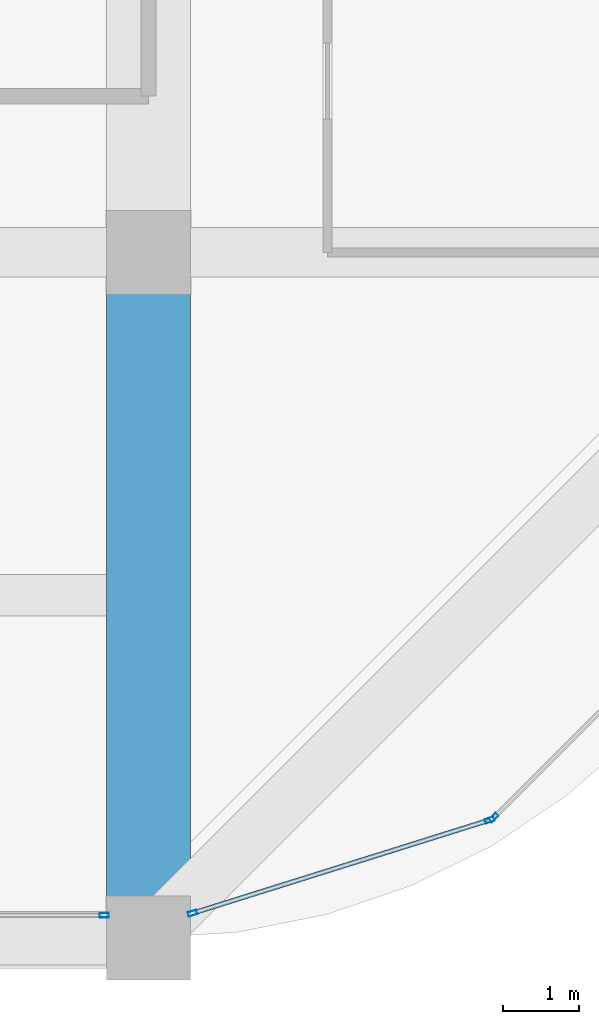
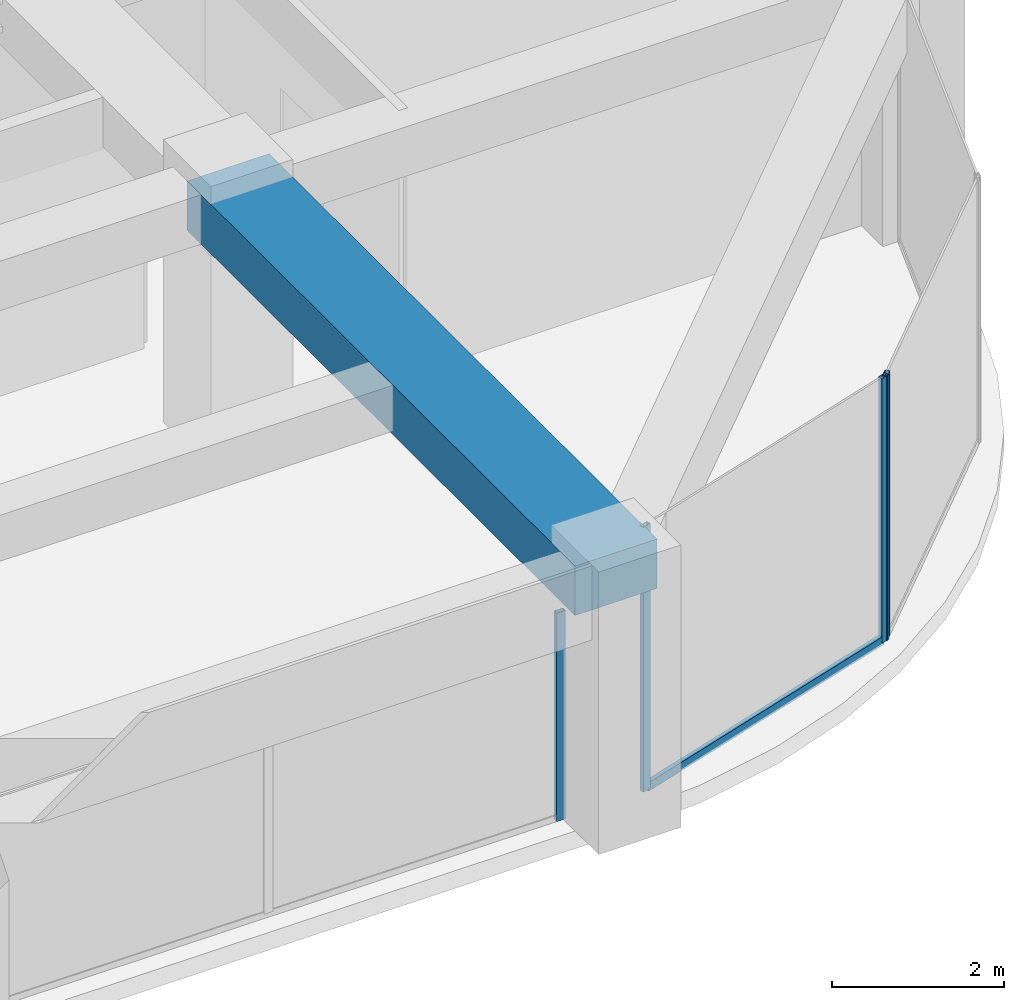
# One storey, part 18 of 44: 5 members, 1 beam, 3 elements without a shape of their own.
"""IFC4 building model written with IfcOpenShell, lengths in metres."""

from ifc_helpers import new_model, si_unit, direction, frame, origin, origin_2d, place, context, subcontext, project, spatial, rectangle, hollow_rectangle, extrude, material, material_profile, profile_set, type_object, element, aggregate, save


model = new_model("IFC4")

# Units and contexts
model_context = context("Model", 3, precision=1e-05, world=origin(), true_north=direction((0.0, 1.0)))
body_context = subcontext(model_context, "Body", "Model", "MODEL_VIEW")
ifc_project = project(units=[si_unit("LENGTHUNIT", "METRE"), si_unit("AREAUNIT", "SQUARE_METRE"), si_unit("VOLUMEUNIT", "CUBIC_METRE"), si_unit("PLANEANGLEUNIT", "RADIAN"), si_unit("MASSUNIT", "GRAM", prefix="KILO")], contexts=[model_context])

# Site, building, storey
site_placement = place(None, origin())
site = spatial("IfcSite", under=ifc_project, at=site_placement, CompositionType="ELEMENT")
building_placement = place(site_placement, origin())
building = spatial("IfcBuilding", under=site, at=building_placement, Name="Zorevar Civic Tower", CompositionType="ELEMENT")
storey_placement = place(building_placement, frame((0.0, 0.0, 263.39990234375)))
storey = spatial("IfcBuildingStorey", under=building, at=storey_placement, Name="L64", CompositionType="ELEMENT", Elevation=263.39990234375)

# Beam
ifc_material_1 = material(Name="Concrete C50/60", Category="concrete")
ifc_material_profile_1 = material_profile(ifc_material_1, rectangle(XDim=1.10009765625, YDim=0.699951171875, at=origin_2d()), Name="RC 1100x700")
ifc_profile_set_1 = profile_set([ifc_material_profile_1], Name="Concrete C50/60")
beam_type = type_object("IfcBeamType", Name="Beam RC 1100x700", PredefinedType="BEAM", material=ifc_profile_set_1)
beam_placement = place(storey_placement, frame((45.0, 0.0, 3.400146484375), z_axis=(0.0, 1.0, 0.0), x_axis=(-1.0, 0.0, 0.0)))
element("IfcBeam", 1, at=beam_placement, inside=storey, type_object=beam_type, Name="Girder L65", PredefinedType="BEAM", context=body_context, shape_type="SweptSolid", body=[
    extrude(rectangle(XDim=1.10009765625, YDim=0.699951171875, at=origin_2d()), origin(), (0.0, 0.0, 1.0), 9.0),
])

# Curtain wall, member
ifc_material_2 = material(Name="Dark grey solar-control glass in black aluminium frame", Category="aluminium")
curtain_wall_type = type_object("IfcCurtainWallType", Name="Curtain wall CW5 top zone", PredefinedType="NOTDEFINED", material=ifc_material_2)
curtain_wall_1_placement = place(storey_placement, origin())
curtain_wall_1 = element("IfcCurtainWall", 2, at=curtain_wall_1_placement, inside=storey, type_object=curtain_wall_type, Name="CW5 L64", PredefinedType="NOTDEFINED")
ifc_material_3 = material(Name="Aluminium, black anodised", Category="aluminium")
ifc_material_profile_2 = material_profile(ifc_material_3, hollow_rectangle(XDim=0.06005859375, YDim=0.1201171875, WallThickness=0.0029296875, at=origin_2d()), Name="AL 120x60x3")
ifc_profile_set_2 = profile_set([ifc_material_profile_2], Name="Aluminium, black anodised")
member_type_1 = type_object("IfcMemberType", Name="CW5 mullion AL 120x60x3", PredefinedType="MULLION", material=ifc_profile_set_2)
member_1_placement = place(storey_placement, frame((44.419921875, 0.300048828125, 0.0), z_axis=(0.0, 0.0, 1.0), x_axis=(0.0, 1.0, 0.0)))
member_1 = element("IfcMember", 3, at=member_1_placement, type_object=member_type_1, Name="CW5 mullion 3", PredefinedType="MULLION", context=body_context, shape_type="SweptSolid", body=[
    extrude(hollow_rectangle(XDim=0.06005859375, YDim=0.1201171875, WallThickness=0.0029296875, at=origin_2d()), origin(), (0.0, 0.0, 1.0), 2.9501953125),
])
aggregate(curtain_wall_1, [member_1])

# Curtain wall, members
curtain_wall_2_placement = place(storey_placement, origin())
curtain_wall_2 = element("IfcCurtainWall", 4, at=curtain_wall_2_placement, inside=storey, type_object=curtain_wall_type, Name="CW5 L64", PredefinedType="NOTDEFINED")
member_2_placement = place(storey_placement, frame((45.57861328125, 0.326416015625, 0.0), z_axis=(0.0, 0.0, 1.0), x_axis=(-0.299317920238, 0.954153437674, 0.0)))
member_2 = element("IfcMember", 5, at=member_2_placement, type_object=member_type_1, Name="CW5 mullion 1", PredefinedType="MULLION", context=body_context, shape_type="SweptSolid", body=[
    extrude(hollow_rectangle(XDim=0.06005859375, YDim=0.1201171875, WallThickness=0.0029296875, at=origin_2d()), origin(), (0.0, 0.0, 1.0), 3.75),
])
member_3_placement = place(storey_placement, frame((49.479248046875, 1.550048828125, 0.0), z_axis=(0.0, 0.0, 1.0), x_axis=(-0.299317920238, 0.954153437674, 0.0)))
member_3 = element("IfcMember", 6, at=member_3_placement, type_object=member_type_1, Name="CW5 mullion 2", PredefinedType="MULLION", context=body_context, shape_type="SweptSolid", body=[
    extrude(hollow_rectangle(XDim=0.06005859375, YDim=0.1201171875, WallThickness=0.0029296875, at=origin_2d()), origin(), (0.0, 0.0, 1.0), 3.75),
])

# Curtain wall, member
curtain_wall_3_placement = place(storey_placement, origin())
curtain_wall_3 = element("IfcCurtainWall", 7, at=curtain_wall_3_placement, inside=storey, type_object=curtain_wall_type, Name="CW5 L64", PredefinedType="NOTDEFINED")
member_4_placement = place(storey_placement, frame((49.529052734375, 1.580322265625, 0.0), z_axis=(0.0, 0.0, 1.0), x_axis=(-0.707106781187, 0.707106781187, 0.0)))
member_4 = element("IfcMember", 8, at=member_4_placement, type_object=member_type_1, Name="CW5 mullion 1", PredefinedType="MULLION", context=body_context, shape_type="SweptSolid", body=[
    extrude(hollow_rectangle(XDim=0.06005859375, YDim=0.1201171875, WallThickness=0.0029296875, at=origin_2d()), origin(), (0.0, 0.0, 1.0), 3.75),
])
aggregate(curtain_wall_3, [member_4])

# Member
ifc_material_4 = material(Name="Aluminium, black anodised", Category="aluminium")
ifc_material_profile_3 = material_profile(ifc_material_4, hollow_rectangle(XDim=0.06005859375, YDim=0.1201171875, WallThickness=0.0029296875, at=origin_2d()), Name="AL 120x60x3")
ifc_profile_set_3 = profile_set([ifc_material_profile_3], Name="Aluminium, black anodised")
member_type_2 = type_object("IfcMemberType", Name="CW5 transom AL 120x60x3", PredefinedType="USERDEFINED", material=ifc_profile_set_3)
member_5_placement = place(storey_placement, frame((45.607177734375, 0.33544921875, 0.030029296875), z_axis=(0.954163457351, 0.299285978047, 0.0), x_axis=(-0.299285978047, 0.954163457351, 0.0)))
member_5 = element("IfcMember", 9, at=member_5_placement, type_object=member_type_2, Name="CW5 sill transom", ObjectType="TRANSOM", PredefinedType="USERDEFINED", context=body_context, shape_type="SweptSolid", body=[
    extrude(hollow_rectangle(XDim=0.06005859375, YDim=0.1201171875, WallThickness=0.0029296875, at=origin_2d()), origin(), (0.0, 0.0, 1.0), 4.028076171875),
])

aggregate(curtain_wall_2, [member_2, member_3, member_5])

save(model, "model.ifc")
